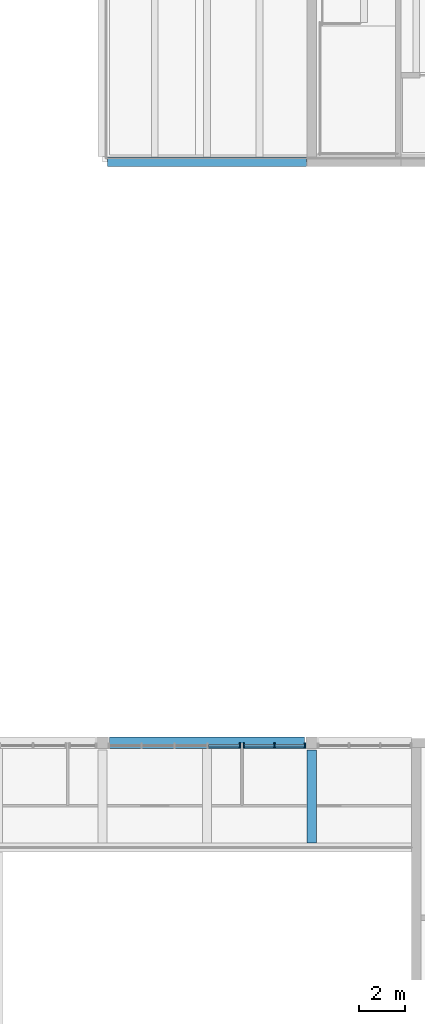
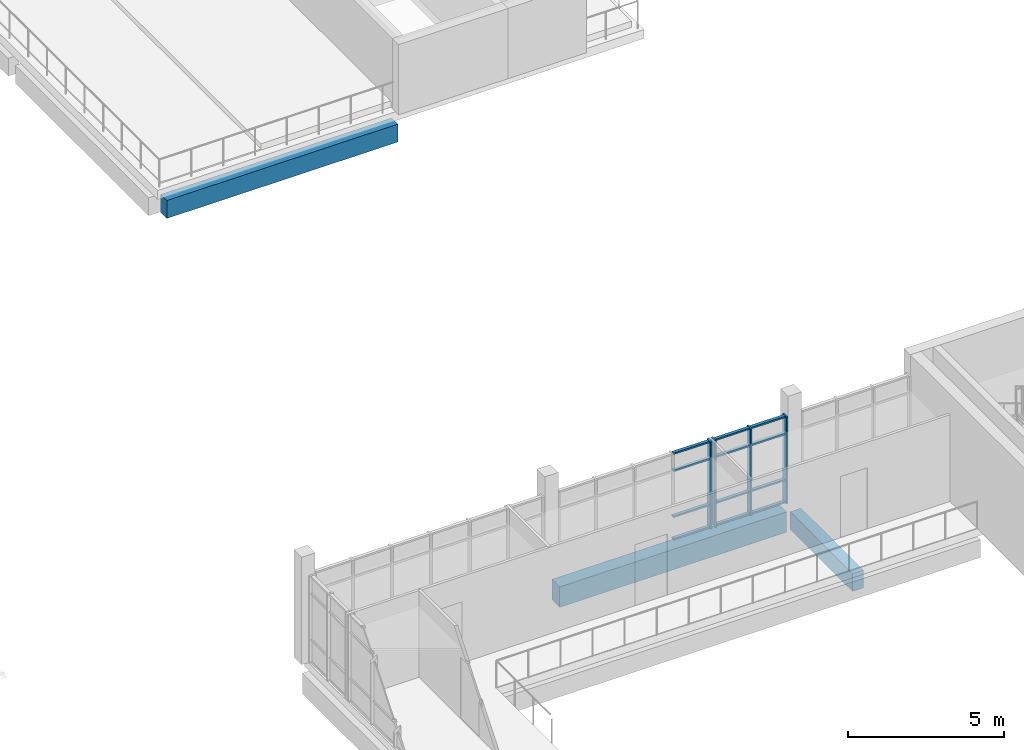
# One storey, part 10 of 74: 16 members, 3 beams, 2 elements without a shape of their own.
"""IFC4 building model written with IfcOpenShell, lengths in metres."""

from ifc_helpers import new_model, si_unit, direction, frame, origin, origin_2d, place, context, subcontext, project, spatial, rectangle, extrude, material, material_profile, profile_set, type_object, element, aggregate, save


model = new_model("IFC4")

# Units and contexts
model_context = context("Model", 3, precision=1e-05, world=origin(), true_north=direction((0.0, 1.0)))
body_context = subcontext(model_context, "Body", "Model", "MODEL_VIEW")
ifc_project = project(units=[si_unit("LENGTHUNIT", "METRE"), si_unit("AREAUNIT", "SQUARE_METRE"), si_unit("VOLUMEUNIT", "CUBIC_METRE"), si_unit("PLANEANGLEUNIT", "RADIAN"), si_unit("MASSUNIT", "GRAM", prefix="KILO")], contexts=[model_context])

# Site, building, storey
site_placement = place(None, origin())
site = spatial("IfcSite", under=ifc_project, at=site_placement, CompositionType="ELEMENT")
building_placement = place(site_placement, origin())
building = spatial("IfcBuilding", under=site, at=building_placement, Name="Merrow Basin Faculty of Sciences", CompositionType="ELEMENT")
storey_placement = place(building_placement, frame((0.0, 0.0, 13.5)))
storey = spatial("IfcBuildingStorey", under=building, at=storey_placement, Name="L03", CompositionType="ELEMENT", Elevation=13.5)

# Curtain wall, member
ifc_material_1 = material(Name="Aluminium alloy 6063", Category="aluminium")
curtain_wall_type = type_object("IfcCurtainWallType", Name="Atrium unitised curtain wall 240", PredefinedType="NOTDEFINED", material=ifc_material_1)
curtain_wall_1_placement = place(storey_placement, origin())
curtain_wall_1 = element("IfcCurtainWall", 1, at=curtain_wall_1_placement, inside=storey, type_object=curtain_wall_type, Name="N curtain wall L03 3", PredefinedType="NOTDEFINED")
ifc_material_2 = material(Name="Aluminium alloy 6063", Category="aluminium")
ifc_material_profile_1 = material_profile(ifc_material_2, rectangle(XDim=0.239990234375, YDim=0.06005859375, at=origin_2d()))
ifc_profile_set_1 = profile_set([ifc_material_profile_1], Name="Aluminium alloy 6063")
member_type_1 = type_object("IfcMemberType", Name="Aluminium mullion 60x240", PredefinedType="MULLION", material=ifc_profile_set_1)
member_1_placement = place(storey_placement, frame((59.919921875, 35.8798828125, 0.0), z_axis=(0.0, 0.0, 1.0), x_axis=(0.0, 1.0, 0.0)))
member_1 = element("IfcMember", 2, at=member_1_placement, type_object=member_type_1, Name="CW5 mullion 5", PredefinedType="MULLION", context=body_context, shape_type="SweptSolid", body=[
    extrude(rectangle(XDim=0.239990234375, YDim=0.06005859375, at=origin_2d()), origin(), (0.0, 0.0, 1.0), 3.39990234375),
])

# Curtain wall, members
curtain_wall_2_placement = place(storey_placement, origin())
curtain_wall_2 = element("IfcCurtainWall", 3, at=curtain_wall_2_placement, inside=storey, type_object=curtain_wall_type, Name="N curtain wall L03 4", PredefinedType="NOTDEFINED")
member_2_placement = place(storey_placement, frame((60.080078125, 35.8798828125, 0.0), z_axis=(0.0, 0.0, 1.0), x_axis=(0.0, 1.0, 0.0)))
member_2 = element("IfcMember", 4, at=member_2_placement, type_object=member_type_1, Name="CW5 mullion 1", PredefinedType="MULLION", context=body_context, shape_type="SweptSolid", body=[
    extrude(rectangle(XDim=0.239990234375, YDim=0.06005859375, at=origin_2d()), origin(), (0.0, 0.0, 1.0), 3.39990234375),
])
member_3_placement = place(storey_placement, frame((61.39990234375, 35.8798828125, 0.0), z_axis=(0.0, 0.0, 1.0), x_axis=(0.0, 1.0, 0.0)))
member_3 = element("IfcMember", 5, at=member_3_placement, type_object=member_type_1, Name="CW5 mullion 2", PredefinedType="MULLION", context=body_context, shape_type="SweptSolid", body=[
    extrude(rectangle(XDim=0.239990234375, YDim=0.06005859375, at=origin_2d()), origin(), (0.0, 0.0, 1.0), 3.39990234375),
])
member_4_placement = place(storey_placement, frame((62.719970703125, 35.8798828125, 0.0), z_axis=(0.0, 0.0, 1.0), x_axis=(0.0, 1.0, 0.0)))
member_4 = element("IfcMember", 6, at=member_4_placement, type_object=member_type_1, Name="CW5 mullion 3", PredefinedType="MULLION", context=body_context, shape_type="SweptSolid", body=[
    extrude(rectangle(XDim=0.239990234375, YDim=0.06005859375, at=origin_2d()), origin(), (0.0, 0.0, 1.0), 3.39990234375),
])

# Member
ifc_material_3 = material(Name="Aluminium alloy 6063", Category="aluminium")
ifc_material_profile_2 = material_profile(ifc_material_3, rectangle(XDim=0.1201171875, YDim=0.06005859375, at=origin_2d()))
ifc_profile_set_2 = profile_set([ifc_material_profile_2], Name="Aluminium alloy 6063")
member_type_2 = type_object("IfcMemberType", Name="Aluminium transom 60x120", PredefinedType="USERDEFINED", material=ifc_profile_set_2)
member_5_placement = place(storey_placement, frame((58.554931640625, 35.8798828125, 0.030029296875), z_axis=(1.0, 0.0, 0.0), x_axis=(0.0, 1.0, 0.0)))
member_5 = element("IfcMember", 7, at=member_5_placement, type_object=member_type_2, Name="CW5 transom 4.1", ObjectType="TRANSOM", PredefinedType="USERDEFINED", context=body_context, shape_type="SweptSolid", body=[
    extrude(rectangle(XDim=0.1201171875, YDim=0.06005859375, at=origin_2d()), origin(), (0.0, 0.0, 1.0), 1.3349609375),
])

member_6_placement = place(storey_placement, frame((58.554931640625, 35.8798828125, 0.89990234375), z_axis=(1.0, 0.0, 0.0), x_axis=(0.0, 1.0, 0.0)))
member_6 = element("IfcMember", 8, at=member_6_placement, type_object=member_type_2, Name="CW5 transom 4.2", ObjectType="TRANSOM", PredefinedType="USERDEFINED", context=body_context, shape_type="SweptSolid", body=[
    extrude(rectangle(XDim=0.1201171875, YDim=0.06005859375, at=origin_2d()), origin(), (0.0, 0.0, 1.0), 1.3349609375),
])

member_7_placement = place(storey_placement, frame((58.554931640625, 35.8798828125, 2.699951171875), z_axis=(1.0, 0.0, 0.0), x_axis=(0.0, 1.0, 0.0)))
member_7 = element("IfcMember", 9, at=member_7_placement, type_object=member_type_2, Name="CW5 transom 4.3", ObjectType="TRANSOM", PredefinedType="USERDEFINED", context=body_context, shape_type="SweptSolid", body=[
    extrude(rectangle(XDim=0.1201171875, YDim=0.06005859375, at=origin_2d()), origin(), (0.0, 0.0, 1.0), 1.3349609375),
])

member_8_placement = place(storey_placement, frame((58.554931640625, 35.8798828125, 3.3701171875), z_axis=(1.0, 0.0, 0.0), x_axis=(0.0, 1.0, 0.0)))
member_8 = element("IfcMember", 10, at=member_8_placement, type_object=member_type_2, Name="CW5 transom 4.4", ObjectType="TRANSOM", PredefinedType="USERDEFINED", context=body_context, shape_type="SweptSolid", body=[
    extrude(rectangle(XDim=0.1201171875, YDim=0.06005859375, at=origin_2d()), origin(), (0.0, 0.0, 1.0), 1.3349609375),
])

aggregate(curtain_wall_1, [member_1, member_5, member_6, member_7, member_8])

member_9_placement = place(storey_placement, frame((60.110107421875, 35.8798828125, 0.030029296875), z_axis=(1.0, 0.0, 0.0), x_axis=(0.0, 1.0, 0.0)))
member_9 = element("IfcMember", 11, at=member_9_placement, type_object=member_type_2, Name="CW5 transom 1.1", ObjectType="TRANSOM", PredefinedType="USERDEFINED", context=body_context, shape_type="SweptSolid", body=[
    extrude(rectangle(XDim=0.1201171875, YDim=0.06005859375, at=origin_2d()), origin(), (0.0, 0.0, 1.0), 1.260009765625),
])

member_10_placement = place(storey_placement, frame((60.110107421875, 35.8798828125, 0.89990234375), z_axis=(1.0, 0.0, 0.0), x_axis=(0.0, 1.0, 0.0)))
member_10 = element("IfcMember", 12, at=member_10_placement, type_object=member_type_2, Name="CW5 transom 1.2", ObjectType="TRANSOM", PredefinedType="USERDEFINED", context=body_context, shape_type="SweptSolid", body=[
    extrude(rectangle(XDim=0.1201171875, YDim=0.06005859375, at=origin_2d()), origin(), (0.0, 0.0, 1.0), 1.260009765625),
])

member_11_placement = place(storey_placement, frame((60.110107421875, 35.8798828125, 2.699951171875), z_axis=(1.0, 0.0, 0.0), x_axis=(0.0, 1.0, 0.0)))
member_11 = element("IfcMember", 13, at=member_11_placement, type_object=member_type_2, Name="CW5 transom 1.3", ObjectType="TRANSOM", PredefinedType="USERDEFINED", context=body_context, shape_type="SweptSolid", body=[
    extrude(rectangle(XDim=0.1201171875, YDim=0.06005859375, at=origin_2d()), origin(), (0.0, 0.0, 1.0), 1.260009765625),
])

member_12_placement = place(storey_placement, frame((60.110107421875, 35.8798828125, 3.3701171875), z_axis=(1.0, 0.0, 0.0), x_axis=(0.0, 1.0, 0.0)))
member_12 = element("IfcMember", 14, at=member_12_placement, type_object=member_type_2, Name="CW5 transom 1.4", ObjectType="TRANSOM", PredefinedType="USERDEFINED", context=body_context, shape_type="SweptSolid", body=[
    extrude(rectangle(XDim=0.1201171875, YDim=0.06005859375, at=origin_2d()), origin(), (0.0, 0.0, 1.0), 1.260009765625),
])

member_13_placement = place(storey_placement, frame((61.429931640625, 35.8798828125, 0.030029296875), z_axis=(1.0, 0.0, 0.0), x_axis=(0.0, 1.0, 0.0)))
member_13 = element("IfcMember", 15, at=member_13_placement, type_object=member_type_2, Name="CW5 transom 2.1", ObjectType="TRANSOM", PredefinedType="USERDEFINED", context=body_context, shape_type="SweptSolid", body=[
    extrude(rectangle(XDim=0.1201171875, YDim=0.06005859375, at=origin_2d()), origin(), (0.0, 0.0, 1.0), 1.260009765625),
])

member_14_placement = place(storey_placement, frame((61.429931640625, 35.8798828125, 0.89990234375), z_axis=(1.0, 0.0, 0.0), x_axis=(0.0, 1.0, 0.0)))
member_14 = element("IfcMember", 16, at=member_14_placement, type_object=member_type_2, Name="CW5 transom 2.2", ObjectType="TRANSOM", PredefinedType="USERDEFINED", context=body_context, shape_type="SweptSolid", body=[
    extrude(rectangle(XDim=0.1201171875, YDim=0.06005859375, at=origin_2d()), origin(), (0.0, 0.0, 1.0), 1.260009765625),
])

member_15_placement = place(storey_placement, frame((61.429931640625, 35.8798828125, 2.699951171875), z_axis=(1.0, 0.0, 0.0), x_axis=(0.0, 1.0, 0.0)))
member_15 = element("IfcMember", 17, at=member_15_placement, type_object=member_type_2, Name="CW5 transom 2.3", ObjectType="TRANSOM", PredefinedType="USERDEFINED", context=body_context, shape_type="SweptSolid", body=[
    extrude(rectangle(XDim=0.1201171875, YDim=0.06005859375, at=origin_2d()), origin(), (0.0, 0.0, 1.0), 1.260009765625),
])

member_16_placement = place(storey_placement, frame((61.429931640625, 35.8798828125, 3.3701171875), z_axis=(1.0, 0.0, 0.0), x_axis=(0.0, 1.0, 0.0)))
member_16 = element("IfcMember", 18, at=member_16_placement, type_object=member_type_2, Name="CW5 transom 2.4", ObjectType="TRANSOM", PredefinedType="USERDEFINED", context=body_context, shape_type="SweptSolid", body=[
    extrude(rectangle(XDim=0.1201171875, YDim=0.06005859375, at=origin_2d()), origin(), (0.0, 0.0, 1.0), 1.260009765625),
])

aggregate(curtain_wall_2, [member_2, member_3, member_4, member_9, member_10, member_11, member_12, member_13, member_14, member_15, member_16])

# Beams
ifc_material_4 = material(Name="Concrete C40/50", Category="concrete")
ifc_material_profile_3 = material_profile(ifc_material_4, rectangle(XDim=0.39990234375, YDim=0.699951171875, at=origin_2d()))
ifc_profile_set_3 = profile_set([ifc_material_profile_3], Name="Concrete C40/50")
beam_type_1 = type_object("IfcBeamType", Name="Beam RC400x700 C40/50", PredefinedType="BEAM", material=ifc_profile_set_3)
beam_1_placement = place(storey_placement, frame((54.22509765625, 61.0, -0.699951171875), z_axis=(1.0, 0.0, 0.0), x_axis=(0.0, 1.0, 0.0)))
element("IfcBeam", 19, at=beam_1_placement, inside=storey, type_object=beam_type_1, Name="B3 L03 001", PredefinedType="BEAM", context=body_context, shape_type="SweptSolid", body=[
    extrude(rectangle(XDim=0.39990234375, YDim=0.699951171875, at=origin_2d()), origin(), (0.0, 0.0, 1.0), 8.5498046875),
])
ifc_material_5 = material(Name="Concrete C40/50", Category="concrete")
ifc_material_profile_4 = material_profile(ifc_material_5, rectangle(XDim=0.5, YDim=0.800048828125, at=origin_2d()))
ifc_profile_set_4 = profile_set([ifc_material_profile_4], Name="Concrete C40/50")
beam_type_2 = type_object("IfcBeamType", Name="Beam RC500x800 C40/50", PredefinedType="BEAM", material=ifc_profile_set_4)
beam_2_placement = place(storey_placement, frame((54.300048828125, 36.0, -0.699951171875), z_axis=(1.0, 0.0, 0.0), x_axis=(0.0, 1.0, 0.0)))
element("IfcBeam", 20, at=beam_2_placement, inside=storey, type_object=beam_type_2, Name="B4 L03 005", PredefinedType="BEAM", context=body_context, shape_type="SweptSolid", body=[
    extrude(rectangle(XDim=0.5, YDim=0.800048828125, at=origin_2d()), origin(), (0.0, 0.0, 1.0), 8.39990234375),
])
ifc_material_6 = material(Name="Concrete C40/50", Category="concrete")
ifc_material_profile_5 = material_profile(ifc_material_6, rectangle(XDim=0.39990234375, YDim=0.699951171875, at=origin_2d()))
ifc_profile_set_5 = profile_set([ifc_material_profile_5], Name="Concrete C40/50")
beam_type_3 = type_object("IfcBeamType", Name="Gallery edge beam RC400x700 C40/50", PredefinedType="BEAM", material=ifc_profile_set_5)
beam_3_placement = place(storey_placement, frame((63.0, 31.699951171875, -0.64990234375), z_axis=(0.0, 1.0, 0.0), x_axis=(-1.0, 0.0, 0.0)))
element("IfcBeam", 21, at=beam_3_placement, inside=storey, type_object=beam_type_3, Name="GB1 L03 024", PredefinedType="BEAM", context=body_context, shape_type="SweptSolid", body=[
    extrude(rectangle(XDim=0.39990234375, YDim=0.699951171875, at=origin_2d()), origin(), (0.0, 0.0, 1.0), 4.0),
])

save(model, "model.ifc")
